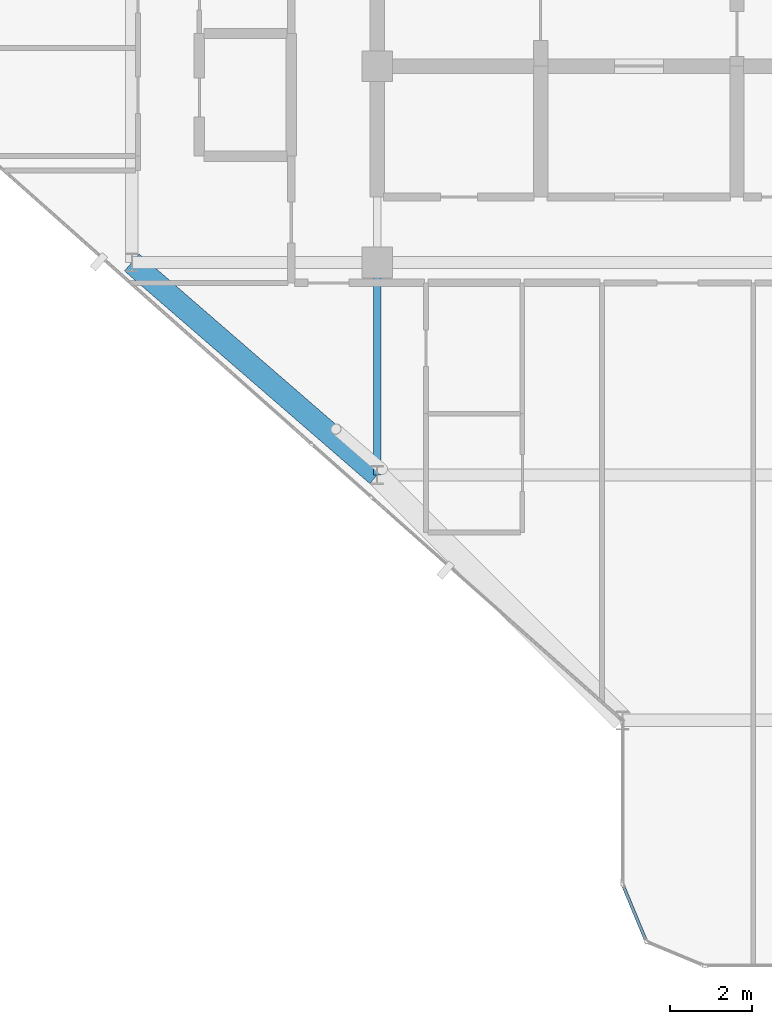
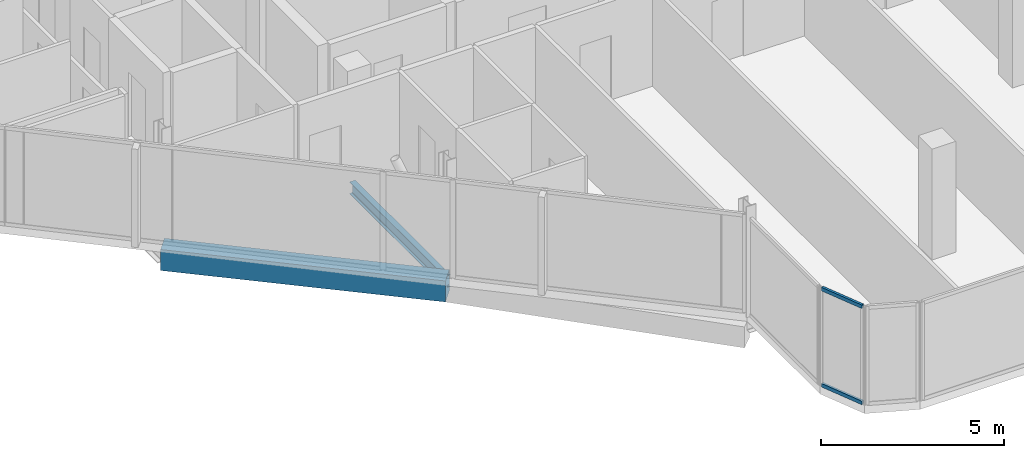
# One storey, part 5 of 28: 2 beams, 2 members, 1 element without a shape of its own.
"""IFC4 building model written with IfcOpenShell, lengths in metres."""

from ifc_helpers import new_model, si_unit, direction, frame, origin, origin_2d, place, context, subcontext, project, spatial, rectangle, hollow_rectangle, i_section, extrude, material, layer, layer_set, material_profile, profile_set, type_object, element, aggregate, save


model = new_model("IFC4")

# Units and contexts
model_context = context("Model", 3, precision=1e-05, world=origin(), true_north=direction((0.0, 1.0)))
body_context = subcontext(model_context, "Body", "Model", "MODEL_VIEW")
ifc_project = project(units=[si_unit("LENGTHUNIT", "METRE"), si_unit("AREAUNIT", "SQUARE_METRE"), si_unit("VOLUMEUNIT", "CUBIC_METRE"), si_unit("PLANEANGLEUNIT", "RADIAN"), si_unit("MASSUNIT", "GRAM", prefix="KILO")], contexts=[model_context])

# Site, building, storey
site_placement = place(None, origin())
site = spatial("IfcSite", under=ifc_project, at=site_placement, CompositionType="ELEMENT")
building_placement = place(site_placement, origin())
building = spatial("IfcBuilding", under=site, at=building_placement, Name="Keshet Zoharim Tower", CompositionType="ELEMENT")
storey_placement = place(building_placement, frame((0.0, 0.0, 233.89990234375)))
storey = spatial("IfcBuildingStorey", under=building, at=storey_placement, Name="L58", CompositionType="ELEMENT", Elevation=233.89990234375)

# Beams
ifc_material_1 = material(Name="Steel S355", Category="steel")
ifc_material_profile_1 = material_profile(ifc_material_1, i_section(OverallWidth=0.179931640625, OverallDepth=0.39990234375, WebThickness=0.008544921875, FlangeThickness=0.013427734375, FilletRadius=0.02099609375, at=origin_2d()), Name="IPE400")
ifc_profile_set_1 = profile_set([ifc_material_profile_1], Name="Steel S355")
beam_type_1 = type_object("IfcBeamType", Name="BM-PRI-IP400", PredefinedType="BEAM", material=ifc_profile_set_1)
beam_1_placement = place(storey_placement, frame((15.0, 12.699951171875, -0.510009765625), z_axis=(0.0, 1.0, 0.0), x_axis=(-1.0, 0.0, 0.0)))
element("IfcBeam", 1, at=beam_1_placement, inside=storey, type_object=beam_type_1, Name="L58 Primary Girder Y-002", PredefinedType="BEAM", context=body_context, shape_type="SweptSolid", body=[
    extrude(i_section(OverallWidth=0.179931640625, OverallDepth=0.39990234375, WebThickness=0.008544921875, FlangeThickness=0.013427734375, FilletRadius=0.02099609375, at=origin_2d()), origin(), (0.0, 0.0, 1.0), 5.199951171875),
])
ifc_material_2 = material(Name="Concrete C50/60", Category="concrete")
ifc_material_profile_2 = material_profile(ifc_material_2, rectangle(XDim=0.550048828125, YDim=0.699951171875, at=origin_2d()), Name="RC700x550")
ifc_profile_set_2 = profile_set([ifc_material_profile_2], Name="Concrete C50/60")
beam_type_2 = type_object("IfcBeamType", Name="BM-SPN-700", PredefinedType="SPANDREL", material=ifc_profile_set_2)
beam_2_placement = place(storey_placement, frame((9.0, 17.89990234375, -0.659912109375), z_axis=(0.755692126483, -0.654927026447, 0.0), x_axis=(0.654927026447, 0.755692126483, 0.0)))
element("IfcBeam", 2, at=beam_2_placement, inside=storey, type_object=beam_type_2, Name="L58 Perimeter Spandrel Beam 02", PredefinedType="SPANDREL", context=body_context, shape_type="SweptSolid", body=[
    extrude(rectangle(XDim=0.550048828125, YDim=0.699951171875, at=origin_2d()), origin(), (0.0, 0.0, 1.0), 7.939697265625),
])

# Curtain wall, members
ifc_material_3 = material(Name="Aluminium 6063-T6", Category="aluminium")
ifc_layer = layer(ifc_material_3, 0.139892578125)
ifc_layer_set = layer_set([ifc_layer], Name="Aluminium 6063-T6")
curtain_wall_type = type_object("IfcCurtainWallType", Name="CW-SYS-05", PredefinedType="NOTDEFINED", material=ifc_layer_set)
curtain_wall_placement = place(storey_placement, origin())
curtain_wall = element("IfcCurtainWall", 3, at=curtain_wall_placement, inside=storey, type_object=curtain_wall_type, Name="L58 Unitised Curtain Wall 08", PredefinedType="NOTDEFINED")
ifc_material_profile_3 = material_profile(ifc_material_3, hollow_rectangle(XDim=0.074951171875, YDim=0.1201171875, WallThickness=0.00390625, at=origin_2d()), Name="TRN-75x120")
ifc_profile_set_3 = profile_set([ifc_material_profile_3], Name="Aluminium 6063-T6")
member_type = type_object("IfcMemberType", Name="CWT-T12", PredefinedType="USERDEFINED", material=ifc_profile_set_3)
member_1_placement = place(storey_placement, frame((21.55908203125, 1.3505859375, 0.03515625), z_axis=(-0.382744609247, 0.923854189844, 0.0), x_axis=(-0.923854189844, -0.382744609247, 0.0)))
member_1 = element("IfcMember", 4, at=member_1_placement, type_object=member_type, Name="CW-05 transom 1.1", ObjectType="TRANSOM", PredefinedType="USERDEFINED", context=body_context, shape_type="SweptSolid", body=[
    extrude(hollow_rectangle(XDim=0.074951171875, YDim=0.1201171875, WallThickness=0.00390625, at=origin_2d()), origin(), (0.0, 0.0, 1.0), 1.390625),
])
member_2_placement = place(storey_placement, frame((21.55908203125, 1.3505859375, 3.2451171875), z_axis=(-0.382744609247, 0.923854189844, 0.0), x_axis=(-0.923854189844, -0.382744609247, 0.0)))
member_2 = element("IfcMember", 5, at=member_2_placement, type_object=member_type, Name="CW-05 transom 1.2", ObjectType="TRANSOM", PredefinedType="USERDEFINED", context=body_context, shape_type="SweptSolid", body=[
    extrude(hollow_rectangle(XDim=0.074951171875, YDim=0.1201171875, WallThickness=0.00390625, at=origin_2d()), origin(), (0.0, 0.0, 1.0), 1.390625),
])
aggregate(curtain_wall, [member_1, member_2])

save(model, "model.ifc")
